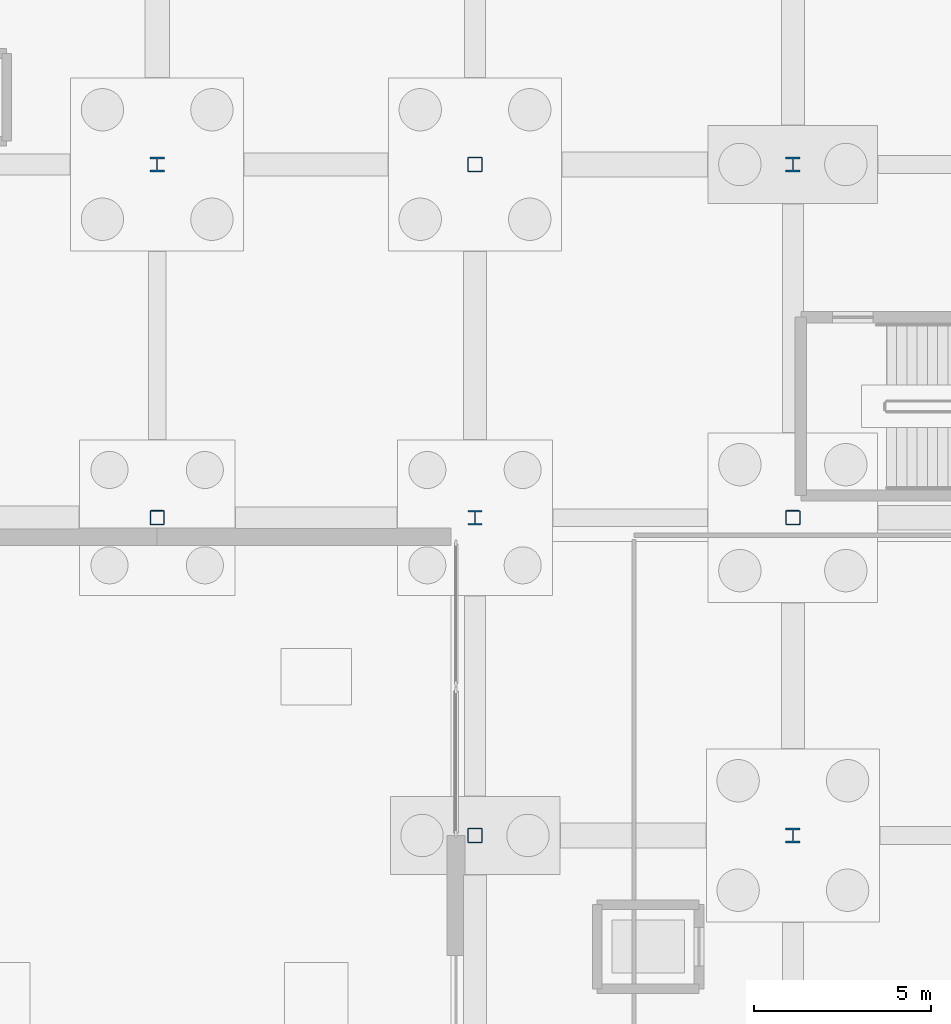
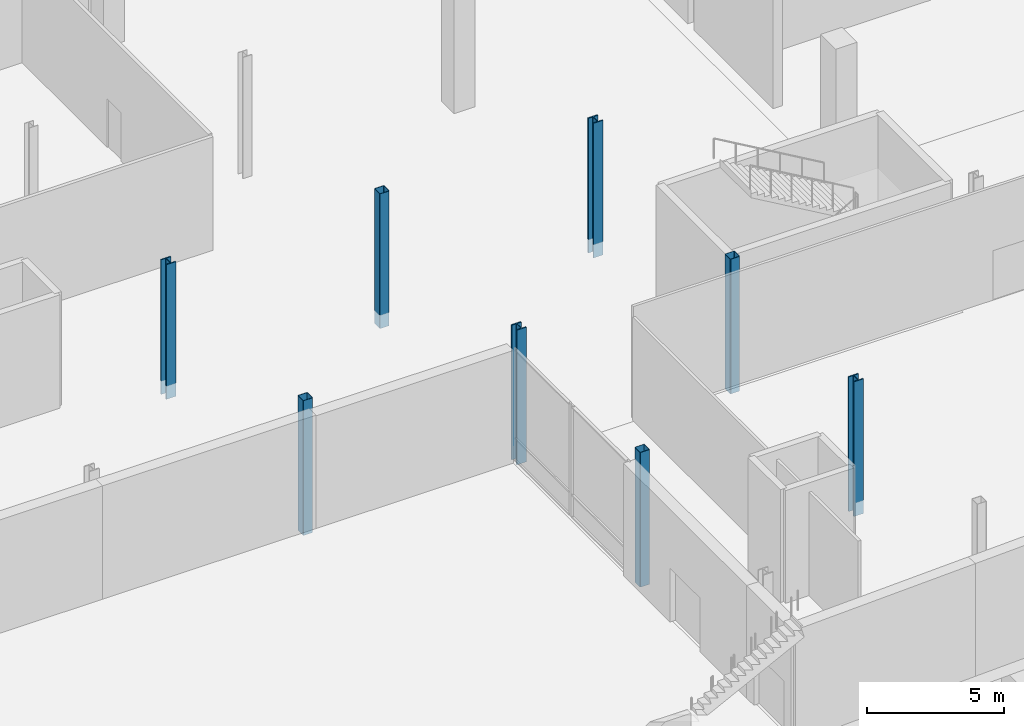
# One storey, part 19 of 60: 8 columns.
"""IFC4 building model written with IfcOpenShell, lengths in metres."""

from ifc_helpers import new_model, si_unit, direction, frame, origin, origin_2d, place, context, subcontext, project, spatial, hollow_rectangle, i_section, extrude, material, material_profile, profile_set, type_object, element, save


model = new_model("IFC4")

# Units and contexts
model_context = context("Model", 3, precision=1e-05, world=origin(), true_north=direction((0.0, 1.0)))
body_context = subcontext(model_context, "Body", "Model", "MODEL_VIEW")
ifc_project = project(units=[si_unit("LENGTHUNIT", "METRE"), si_unit("AREAUNIT", "SQUARE_METRE"), si_unit("VOLUMEUNIT", "CUBIC_METRE"), si_unit("PLANEANGLEUNIT", "RADIAN"), si_unit("MASSUNIT", "GRAM", prefix="KILO")], contexts=[model_context])

# Site, building, storey
site_placement = place(None, origin())
site = spatial("IfcSite", under=ifc_project, at=site_placement, CompositionType="ELEMENT")
building_placement = place(site_placement, origin())
building = spatial("IfcBuilding", under=site, at=building_placement, Name="Trimount Lyric Opera House", CompositionType="ELEMENT")
storey_placement = place(building_placement, frame((0.0, 0.0, -5.39990234375)))
storey = spatial("IfcBuildingStorey", under=building, at=storey_placement, Name="B1", CompositionType="ELEMENT", Elevation=-5.39990234375)

# Columns
ifc_material_1 = material(Name="Steel ASTM A992 Grade 50", Category="steel")
ifc_material_profile_1 = material_profile(ifc_material_1, i_section(OverallWidth=0.406005859375, OverallDepth=0.4169921875, WebThickness=0.02978515625, FlangeThickness=0.048095703125, FilletRadius=0.01806640625, at=origin_2d()), Name="W14X257")
ifc_profile_set_1 = profile_set([ifc_material_profile_1], Name="Steel ASTM A992 Grade 50")
column_type_1 = type_object("IfcColumnType", Name="C-02", PredefinedType="COLUMN", material=ifc_profile_set_1)
for number, where, z_axis, x_axis, name in (
    (1, (36.0, 54.0, -0.60009765625), (0.0, 0.0, 1.0), (1.0, 0.0, 0.0), "B1 column 5/G"),
    (2, (45.0, 44.0, -0.60009765625), (0.0, 0.0, 1.0), (1.0, 0.0, 0.0), "B1 column 6/F"),
    (3, (54.0, 35.0, -0.60009765625), (0.0, 0.0, 1.0), (1.0, 0.0, 0.0), "B1 column 7/E"),
    (4, (54.0, 54.0, -0.60009765625), (0.0, 0.0, 1.0), (1.0, 0.0, 0.0), "B1 column 7/G"),
):
    element("IfcColumn", number, at=place(storey_placement, frame(where, z_axis=z_axis, x_axis=x_axis)), inside=storey, type_object=column_type_1, Name=name, PredefinedType="COLUMN", context=body_context, shape_type="SweptSolid", body=[
        extrude(i_section(OverallWidth=0.406005859375, OverallDepth=0.4169921875, WebThickness=0.02978515625, FlangeThickness=0.048095703125, FilletRadius=0.01806640625, at=origin_2d()), origin(), (0.0, 0.0, 1.0), 6.0),
    ])
ifc_material_2 = material(Name="Steel ASTM A500 Grade C", Category="steel")
ifc_material_profile_2 = material_profile(ifc_material_2, hollow_rectangle(XDim=0.406494140625, YDim=0.406494140625, WallThickness=0.014892578125, InnerFilletRadius=0.01513671875, OuterFilletRadius=0.030029296875, at=origin_2d()), Name="HSS406.4X406.4X15.9")
ifc_profile_set_2 = profile_set([ifc_material_profile_2], Name="Steel ASTM A500 Grade C")
column_type_2 = type_object("IfcColumnType", Name="C-07", PredefinedType="COLUMN", material=ifc_profile_set_2)
for number, where, z_axis, x_axis, name in (
    (5, (36.0, 44.0, -0.60009765625), (0.0, 0.0, 1.0), (1.0, 0.0, 0.0), "B1 column 5/F"),
    (6, (45.0, 35.0, -0.60009765625), (0.0, 0.0, 1.0), (1.0, 0.0, 0.0), "B1 column 6/E"),
    (7, (45.0, 54.0, -0.60009765625), (0.0, 0.0, 1.0), (1.0, 0.0, 0.0), "B1 column 6/G"),
    (8, (54.0, 44.0, -0.60009765625), (0.0, 0.0, 1.0), (1.0, 0.0, 0.0), "B1 column 7/F"),
):
    element("IfcColumn", number, at=place(storey_placement, frame(where, z_axis=z_axis, x_axis=x_axis)), inside=storey, type_object=column_type_2, Name=name, PredefinedType="COLUMN", context=body_context, shape_type="SweptSolid", body=[
        extrude(hollow_rectangle(XDim=0.406494140625, YDim=0.406494140625, WallThickness=0.014892578125, InnerFilletRadius=0.01513671875, OuterFilletRadius=0.030029296875, at=origin_2d()), origin(), (0.0, 0.0, 1.0), 6.0),
    ])

save(model, "model.ifc")
